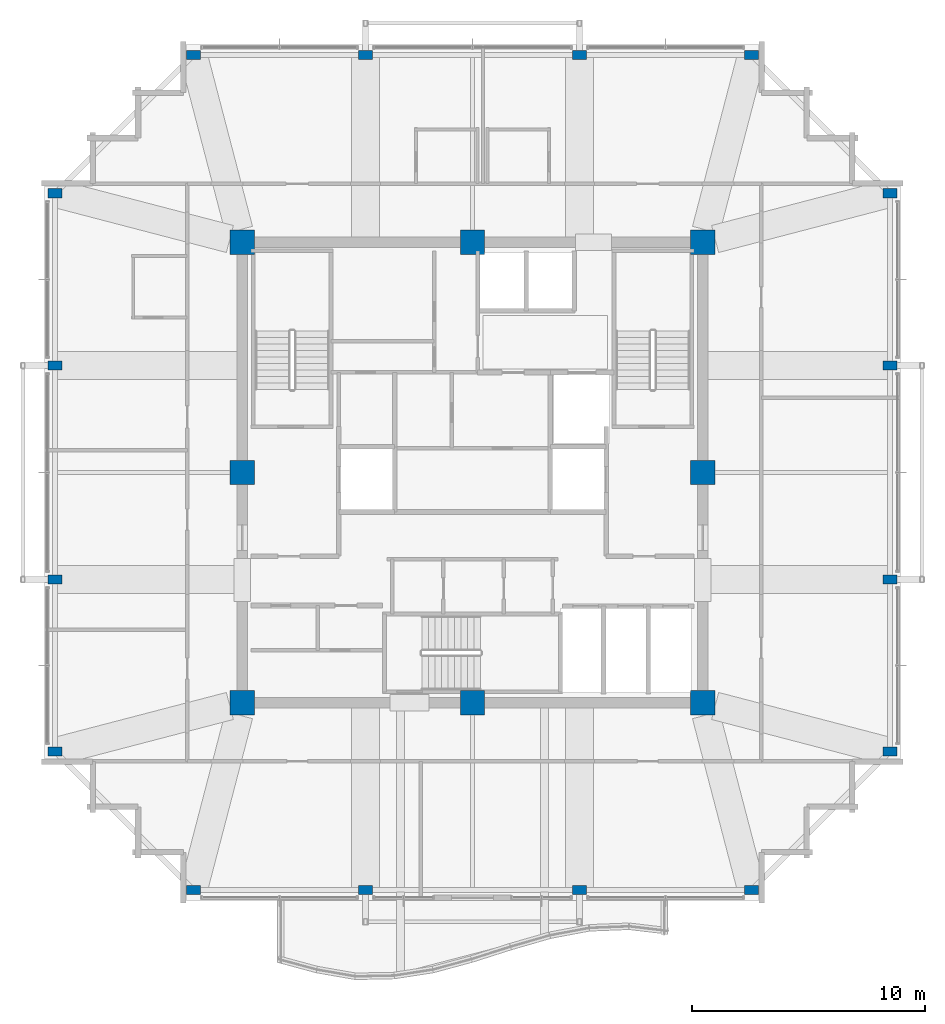
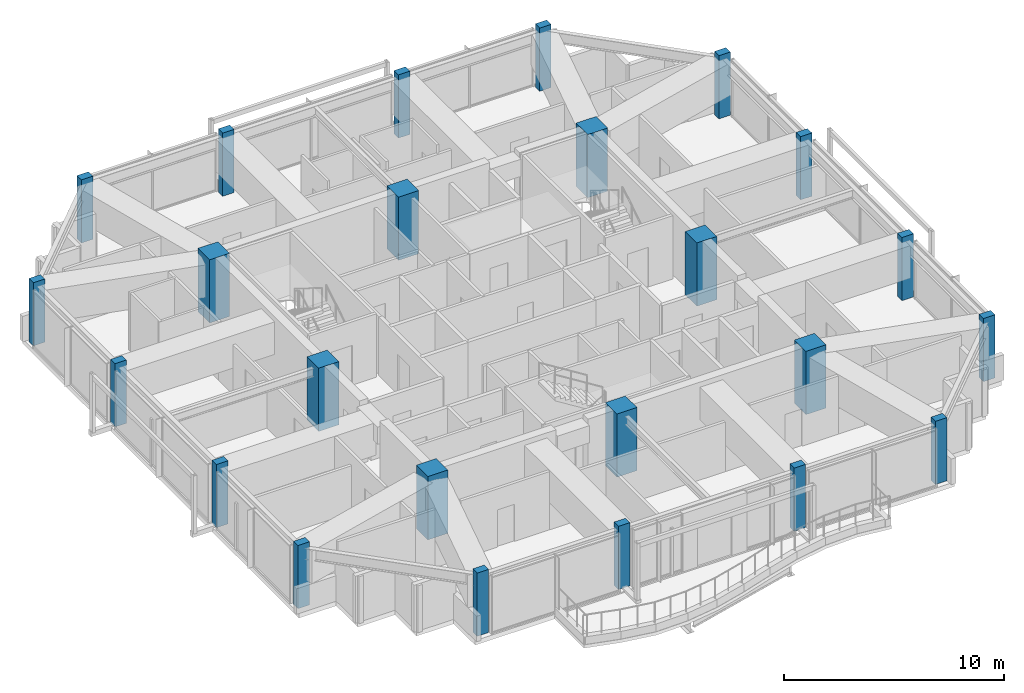
# One storey, part 1 of 30: 24 columns.
"""IFC4 building model written with IfcOpenShell, lengths in metres."""

import ifcopenshell
import ifcopenshell.guid

model = None  # the IFC model being written
_history = None  # IfcOwnerHistory: only IFC2X3 demands one
_inside = {}  # id of a spatial element -> (the spatial element, [elements in it])
_under = {}  # id of a project, library or spatial element -> (it, [spatial elements below it])
_declared = {}  # id of a project -> (the project, [libraries it declares])
_typed = {}  # id of a type object -> (the type object, [elements of that type])
_made_of = {}  # id of a material, layer set ... -> (it, [elements and type objects made of it])


def new_model(schema):
    """Start an empty IFC model of exactly this schema.

    Asked for "IFC4X3", IfcOpenShell would pick the latest addendum, in which some entities
    have other attributes; the version numbers below select the first issue.
    IFC2X3 requires an IfcOwnerHistory on every rooted entity: one is made here for all.
    """
    global model, _history
    if schema == "IFC4X3":
        model = ifcopenshell.file(schema_version=(4, 3, 0, 0))
    else:
        model = ifcopenshell.file(schema=schema)
    _inside.clear()
    _under.clear()
    _declared.clear()
    _typed.clear()
    _made_of.clear()
    _history = None
    if model.schema == "IFC2X3":
        org = make("IfcOrganization", Name="unknown")
        user = make(
            "IfcPersonAndOrganization",
            ThePerson=make("IfcPerson", FamilyName="unknown"),
            TheOrganization=org,
        )
        app = make(
            "IfcApplication",
            ApplicationDeveloper=org,
            Version="unknown",
            ApplicationFullName="unknown",
            ApplicationIdentifier="unknown",
        )
        _history = make(
            "IfcOwnerHistory",
            OwningUser=user,
            OwningApplication=app,
            ChangeAction="ADDED",
            CreationDate=0,
        )
    return model


def make(cls, **values):
    """One entity of the class cls with the attributes given. An attribute that is None is left unset."""
    return model.create_entity(
        cls, **{name: value for name, value in values.items() if value is not None}
    )


def rooted(cls, **values):
    """An entity with a GlobalId (a new one), such as an element, a storey or a relation."""
    return make(cls, GlobalId=ifcopenshell.guid.new(), OwnerHistory=_history, **values)


def si_unit(unit_type, name, prefix=None):
    """IfcSIUnit, for example si_unit("LENGTHUNIT", "METRE", prefix="MILLI")."""
    return make("IfcSIUnit", UnitType=unit_type, Prefix=prefix, Name=name)


def assignment(units):
    """IfcUnitAssignment: the units of a project."""
    return None if units is None else make("IfcUnitAssignment", Units=units)


def point(xyz):
    """IfcCartesianPoint."""
    return None if xyz is None else make("IfcCartesianPoint", Coordinates=xyz)


def direction(xyz):
    """IfcDirection."""
    return None if xyz is None else make("IfcDirection", DirectionRatios=xyz)


def frame(location, z_axis=None, x_axis=None):
    """IfcAxis2Placement3D, a coordinate frame: its origin and axes. An axis left out is left unset."""
    return make(
        "IfcAxis2Placement3D",
        Location=point(location),
        Axis=direction(z_axis),
        RefDirection=direction(x_axis),
    )


def frame_2d(location, x_axis=None):
    """IfcAxis2Placement2D, a coordinate frame in the plane: its origin and x axis."""
    return make(
        "IfcAxis2Placement2D", Location=point(location), RefDirection=direction(x_axis)
    )


def origin():
    """The frame at (0, 0, 0) with its axes left unset."""
    return frame((0.0, 0.0, 0.0))


def origin_2d():
    """The frame at (0, 0) in the plane with its x axis left unset."""
    return frame_2d((0.0, 0.0))


def place(relative_to, where):
    """IfcLocalPlacement: puts the frame where relative to a parent placement (None: the world)."""
    return make(
        "IfcLocalPlacement", PlacementRelTo=relative_to, RelativePlacement=where
    )


def context(
    kind, dimensions, precision=None, world=None, true_north=None, identifier=None
):
    """IfcGeometricRepresentationContext, for example the 3D "Model" context."""
    return make(
        "IfcGeometricRepresentationContext",
        ContextIdentifier=identifier,
        ContextType=kind,
        CoordinateSpaceDimension=dimensions,
        Precision=precision,
        WorldCoordinateSystem=world,
        TrueNorth=true_north,
    )


def subcontext(parent, identifier, kind, view, scale=None):
    """IfcGeometricRepresentationSubContext, for example "Body" below "Model"."""
    return make(
        "IfcGeometricRepresentationSubContext",
        ContextIdentifier=identifier,
        ContextType=kind,
        ParentContext=parent,
        TargetScale=scale,
        TargetView=view,
    )


def project(units=None, contexts=None):
    """IfcProject with its units and contexts."""
    return rooted(
        "IfcProject",
        Name="project",
        RepresentationContexts=contexts,
        UnitsInContext=assignment(units),
    )


def spatial(cls, under=None, at=None, **own):
    """A site, building, storey or space (cls), placed at a placement, below another one or the project."""
    s = rooted(cls, ObjectPlacement=at, **own)
    if under is not None:
        _under.setdefault(under.id(), (under, []))[1].append(s)
    return s


def profile(cls, at=None, kind="AREA", **sizes):
    """A parametric profile (cls). Its sizes go by their IFC names, for example OverallWidth=200.0."""
    return make(cls, ProfileType=kind, Position=at, **sizes)


def rectangle(**sizes):
    """IfcRectangleProfileDef."""
    return profile("IfcRectangleProfileDef", **sizes)


def extrude(swept, where, along, depth):
    """IfcExtrudedAreaSolid: the profile swept, set in the frame where, extruded along a direction by depth."""
    return make(
        "IfcExtrudedAreaSolid",
        SweptArea=swept,
        Position=where,
        ExtrudedDirection=direction(along),
        Depth=depth,
    )


def shape(context_of_items, identifier, shape_type, items):
    """IfcShapeRepresentation: the items that make up one representation, for example the "Body"."""
    return make(
        "IfcShapeRepresentation",
        ContextOfItems=context_of_items,
        RepresentationIdentifier=identifier,
        RepresentationType=shape_type,
        Items=items,
    )


def material(Name=None, Category=None):
    """IfcMaterial."""
    return make("IfcMaterial", Name=Name, Category=Category)


def material_profile(
    of_material, cross_section, Name=None, Category=None, Priority=None
):
    """IfcMaterialProfile: a cross section and its material."""
    return make(
        "IfcMaterialProfile",
        Name=Name,
        Material=of_material,
        Profile=cross_section,
        Priority=Priority,
        Category=Category,
    )


def profile_set(profiles, Name=None, composite=None):
    """IfcMaterialProfileSet."""
    return make(
        "IfcMaterialProfileSet",
        Name=Name,
        MaterialProfiles=profiles,
        CompositeProfile=composite,
    )


def made_of(thing, what):
    """Note that an element or type object is made of a material, layer set ...; save() writes the relation."""
    if what is not None:
        _made_of.setdefault(what.id(), (what, []))[1].append(thing)
    return thing


def type_object(cls, material=None, **own):
    """A type object (cls), such as IfcWallType, which elements share."""
    return made_of(rooted(cls, **own), material)


def element(
    cls,
    number,
    at=None,
    inside=None,
    cuts=None,
    type_object=None,
    material=None,
    context=None,
    identifier="Body",
    shape_type=None,
    held_by="IfcProductDefinitionShape",
    body=None,
    shapes=None,
    **own,
):
    """One element of the class cls, such as IfcWall. Its Tag is "e" and its number.

    at: its placement. inside: the storey or other place that contains it. cuts: it is an
    opening in that element (IfcRelVoidsElement). A single representation is given by context,
    identifier, shape_type and body (its items); several are given by shapes. held_by: the class
    of the entity that holds the representations. save() writes the other relations.
    """
    e = rooted(cls, Tag="e%d" % number, ObjectPlacement=at, **own)
    if body is not None:
        shapes = [shape(context, identifier, shape_type, body)]
    if shapes is not None:
        e.Representation = make(held_by, Representations=shapes)
    if inside is not None:
        _inside.setdefault(inside.id(), (inside, []))[1].append(e)
    if cuts is not None:
        rooted(
            "IfcRelVoidsElement", RelatingBuildingElement=cuts, RelatedOpeningElement=e
        )
    if type_object is not None:
        _typed.setdefault(type_object.id(), (type_object, []))[1].append(e)
    return made_of(e, material)


def aggregate(whole, parts):
    """IfcRelAggregates: a whole, such as a stair, and the parts it consists of."""
    return rooted("IfcRelAggregates", RelatingObject=whole, RelatedObjects=parts)


def save(model, path):
    """Write the relations noted so far, then the file.

    IfcRelAggregates (storeys below a building ...), IfcRelContainedInSpatialStructure (elements
    in a storey), IfcRelDefinesByType, IfcRelAssociatesMaterial and IfcRelDeclares: one each for
    every whole, place, type object, material and project.
    """
    for whole, parts in _under.values():
        aggregate(whole, parts)
    for where, things in _inside.values():
        rooted(
            "IfcRelContainedInSpatialStructure",
            RelatedElements=things,
            RelatingStructure=where,
        )
    for kind, things in _typed.values():
        rooted("IfcRelDefinesByType", RelatedObjects=things, RelatingType=kind)
    for what, things in _made_of.values():
        rooted("IfcRelAssociatesMaterial", RelatedObjects=things, RelatingMaterial=what)
    for by, libraries in _declared.values():
        rooted("IfcRelDeclares", RelatingContext=by, RelatedDefinitions=libraries)
    model.write(path)


model = new_model("IFC4")

# Units and contexts
model_context = context("Model", 3, precision=1e-05, world=origin(), true_north=direction((0.0, 1.0)))
body_context = subcontext(model_context, "Body", "Model", "MODEL_VIEW")
ifc_project = project(units=[si_unit("LENGTHUNIT", "METRE"), si_unit("AREAUNIT", "SQUARE_METRE"), si_unit("VOLUMEUNIT", "CUBIC_METRE"), si_unit("PLANEANGLEUNIT", "RADIAN"), si_unit("MASSUNIT", "GRAM", prefix="KILO")], contexts=[model_context])

# Site, building, storey
site_placement = place(None, origin())
site = spatial("IfcSite", under=ifc_project, at=site_placement, CompositionType="ELEMENT")
building_placement = place(site_placement, origin())
building = spatial("IfcBuilding", under=site, at=building_placement, Name="Kolvaren Belvedere", CompositionType="ELEMENT")
storey_placement = place(building_placement, frame((0.0, 0.0, 254.89990234375)))
storey = spatial("IfcBuildingStorey", under=building, at=storey_placement, Name="L74", CompositionType="ELEMENT", Elevation=254.89990234375)

# Columns
ifc_material_1 = material(Name="Concrete C50/60", Category="concrete")
ifc_material_profile_1 = material_profile(ifc_material_1, rectangle(XDim=1.050048828125, YDim=1.050048828125, at=origin_2d()), Name="RC 1050X1050")
ifc_profile_set_1 = profile_set([ifc_material_profile_1], Name="Concrete C50/60")
column_type_1 = type_object("IfcColumnType", Name="COL-RC-1050", PredefinedType="COLUMN", material=ifc_profile_set_1)
for number, where, z_axis, x_axis, name in (
    (1, (-9.89990234375, -9.89990234375, 0.0), (0.0, 0.0, 1.0), (1.0, 0.0, 0.0), "L74 Core Column CC1"),
    (2, (9.89990234375, -9.89990234375, 0.0), (0.0, 0.0, 1.0), (1.0, 0.0, 0.0), "L74 Core Column CC2"),
    (3, (9.89990234375, 9.89990234375, 0.0), (0.0, 0.0, 1.0), (1.0, 0.0, 0.0), "L74 Core Column CC3"),
    (4, (-9.89990234375, 9.89990234375, 0.0), (0.0, 0.0, 1.0), (1.0, 0.0, 0.0), "L74 Core Column CC4"),
    (5, (0.0, -9.89990234375, 0.0), (0.0, 0.0, 1.0), (1.0, 0.0, 0.0), "L74 Core Column CM1"),
    (6, (9.89990234375, 0.0, 0.0), (0.0, 0.0, 1.0), (1.0, 0.0, 0.0), "L74 Core Column CM2"),
    (7, (0.0, 9.89990234375, 0.0), (0.0, 0.0, 1.0), (1.0, 0.0, 0.0), "L74 Core Column CM3"),
    (8, (-9.89990234375, 0.0, 0.0), (0.0, 0.0, 1.0), (1.0, 0.0, 0.0), "L74 Core Column CM4"),
):
    element("IfcColumn", number, at=place(storey_placement, frame(where, z_axis=z_axis, x_axis=x_axis)), inside=storey, type_object=column_type_1, Name=name, PredefinedType="COLUMN", context=body_context, shape_type="SweptSolid", body=[
        extrude(rectangle(XDim=1.050048828125, YDim=1.050048828125, at=origin_2d()), origin(), (0.0, 0.0, 1.0), 3.5),
    ])
ifc_material_2 = material(Name="Concrete C50/60", Category="concrete")
ifc_material_profile_2 = material_profile(ifc_material_2, rectangle(XDim=0.60009765625, YDim=0.39990234375, at=origin_2d()), Name="RC 600X400")
ifc_profile_set_2 = profile_set([ifc_material_profile_2], Name="Concrete C50/60")
column_type_2 = type_object("IfcColumnType", Name="COL-RC-600", PredefinedType="COLUMN", material=ifc_profile_set_2)
for number, where, z_axis, x_axis, name in (
    (9, (-12.0, -17.949951171875, 0.0), (0.0, 0.0, 1.0), (1.0, 0.0, 0.0), "L74 Perimeter Column S1"),
    (10, (-4.60009765625, -17.949951171875, 0.0), (0.0, 0.0, 1.0), (1.0, 0.0, 0.0), "L74 Perimeter Column S2"),
    (11, (4.60009765625, -17.949951171875, 0.0), (0.0, 0.0, 1.0), (1.0, 0.0, 0.0), "L74 Perimeter Column S3"),
    (12, (12.0, -17.949951171875, 0.0), (0.0, 0.0, 1.0), (1.0, 0.0, 0.0), "L74 Perimeter Column S4"),
    (13, (-12.0, 17.949951171875, 0.0), (0.0, 0.0, 1.0), (1.0, 0.0, 0.0), "L74 Perimeter Column N1"),
    (14, (-4.60009765625, 17.949951171875, 0.0), (0.0, 0.0, 1.0), (1.0, 0.0, 0.0), "L74 Perimeter Column N2"),
    (15, (4.60009765625, 17.949951171875, 0.0), (0.0, 0.0, 1.0), (1.0, 0.0, 0.0), "L74 Perimeter Column N3"),
    (16, (12.0, 17.949951171875, 0.0), (0.0, 0.0, 1.0), (1.0, 0.0, 0.0), "L74 Perimeter Column N4"),
    (17, (-17.949951171875, -12.0, 0.0), (0.0, 0.0, 1.0), (1.0, 0.0, 0.0), "L74 Perimeter Column W1"),
    (18, (-17.949951171875, -4.60009765625, 0.0), (0.0, 0.0, 1.0), (1.0, 0.0, 0.0), "L74 Perimeter Column W2"),
    (19, (-17.949951171875, 4.60009765625, 0.0), (0.0, 0.0, 1.0), (1.0, 0.0, 0.0), "L74 Perimeter Column W3"),
    (20, (-17.949951171875, 12.0, 0.0), (0.0, 0.0, 1.0), (1.0, 0.0, 0.0), "L74 Perimeter Column W4"),
    (21, (17.949951171875, -12.0, 0.0), (0.0, 0.0, 1.0), (1.0, 0.0, 0.0), "L74 Perimeter Column E1"),
    (22, (17.949951171875, -4.60009765625, 0.0), (0.0, 0.0, 1.0), (1.0, 0.0, 0.0), "L74 Perimeter Column E2"),
    (23, (17.949951171875, 4.60009765625, 0.0), (0.0, 0.0, 1.0), (1.0, 0.0, 0.0), "L74 Perimeter Column E3"),
    (24, (17.949951171875, 12.0, 0.0), (0.0, 0.0, 1.0), (1.0, 0.0, 0.0), "L74 Perimeter Column E4"),
):
    element("IfcColumn", number, at=place(storey_placement, frame(where, z_axis=z_axis, x_axis=x_axis)), inside=storey, type_object=column_type_2, Name=name, PredefinedType="COLUMN", context=body_context, shape_type="SweptSolid", body=[
        extrude(rectangle(XDim=0.60009765625, YDim=0.39990234375, at=origin_2d()), origin(), (0.0, 0.0, 1.0), 3.5),
    ])

save(model, "model.ifc")
